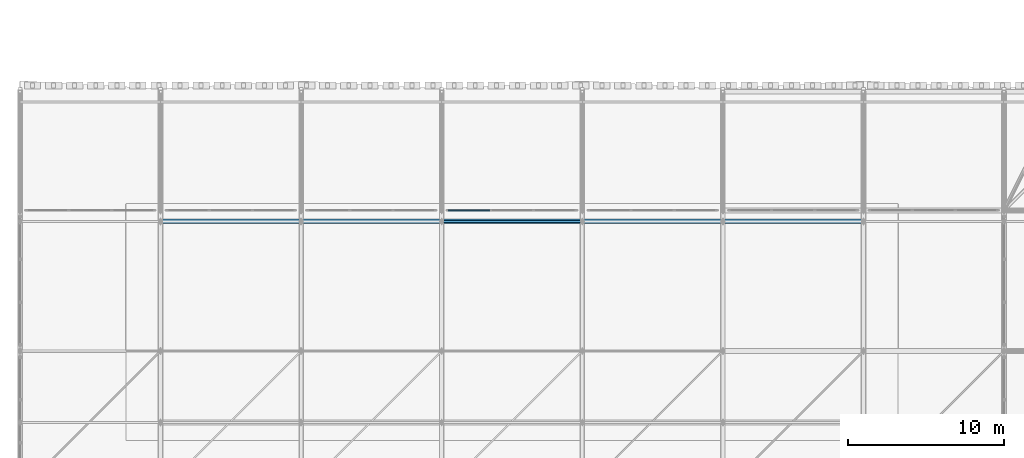
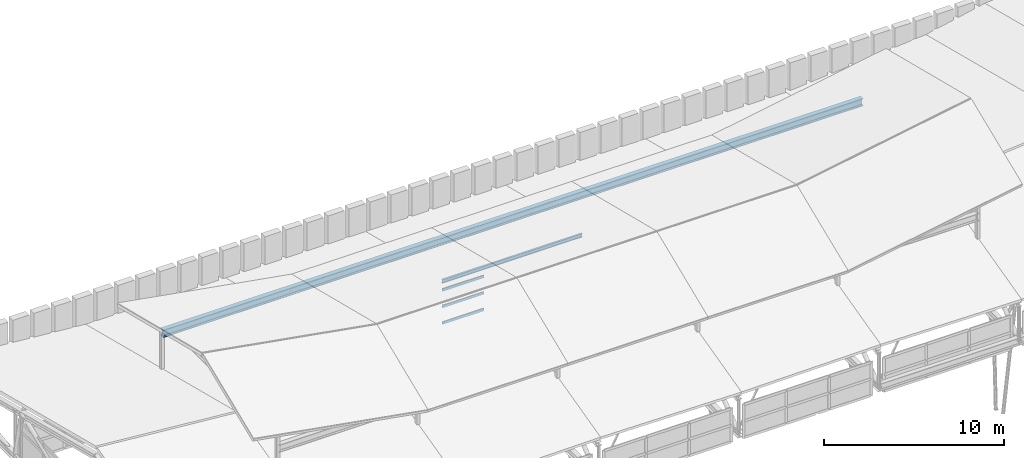
# One storey, part 10 of 42: 4 members, 1 beam, 1 element without a shape of its own.
"""IFC4 building model written with IfcOpenShell, lengths in metres."""

from ifc_helpers import new_model, si_unit, direction, frame, origin, origin_2d, place, context, subcontext, project, spatial, rectangle, i_section, extrude, material, material_profile, profile_set, type_object, element, aggregate, save


model = new_model("IFC4")

# Units and contexts
model_context = context("Model", 3, precision=1e-05, world=origin(), true_north=direction((0.0, 1.0)))
body_context = subcontext(model_context, "Body", "Model", "MODEL_VIEW")
ifc_project = project(units=[si_unit("LENGTHUNIT", "METRE"), si_unit("AREAUNIT", "SQUARE_METRE"), si_unit("VOLUMEUNIT", "CUBIC_METRE"), si_unit("PLANEANGLEUNIT", "RADIAN"), si_unit("MASSUNIT", "GRAM", prefix="KILO")], contexts=[model_context])

# Site, building, storey
site_placement = place(None, origin())
site = spatial("IfcSite", under=ifc_project, at=site_placement, CompositionType="ELEMENT")
building_placement = place(site_placement, origin())
building = spatial("IfcBuilding", under=site, at=building_placement, Name="Bozkorgan Art Gallery", CompositionType="ELEMENT")
storey_placement = place(building_placement, frame((0.0, 0.0, 28.800048828125)))
storey = spatial("IfcBuildingStorey", under=building, at=storey_placement, Name="RF", CompositionType="ELEMENT", Elevation=28.800048828125)

# Beam
ifc_material_1 = material(Name="Steel S355J2", Category="steel")
ifc_material_profile_1 = material_profile(ifc_material_1, i_section(OverallWidth=0.300048828125, OverallDepth=0.5, WebThickness=0.014404296875, FlangeThickness=0.028076171875, FilletRadius=0.027099609375, at=origin_2d()), Name="HEB 500")
ifc_profile_set_1 = profile_set([ifc_material_profile_1], Name="Steel S355J2")
beam_type = type_object("IfcBeamType", Name="BEAM-TO-52", PredefinedType="BEAM", material=ifc_profile_set_1)
beam_placement = place(storey_placement, frame((11.0, 19.300048828125, 5.925048828125), z_axis=(1.0, 0.0, 0.0), x_axis=(0.0, 1.0, 0.0)))
element("IfcBeam", 1, at=beam_placement, inside=storey, type_object=beam_type, Name="V1 stacked roof longitudinal tie 2", PredefinedType="BEAM", context=body_context, shape_type="SweptSolid", body=[
    extrude(i_section(OverallWidth=0.300048828125, OverallDepth=0.5, WebThickness=0.014404296875, FlangeThickness=0.028076171875, FilletRadius=0.027099609375, at=origin_2d()), origin(), (0.0, 0.0, 1.0), 45.0),
])

# Curtain wall, members
ifc_material_2 = material(Name="Anodised Bronze Aluminium", Category="aluminium")
curtain_wall_type = type_object("IfcCurtainWallType", Name="CW-CW-28", PredefinedType="NOTDEFINED", material=ifc_material_2)
curtain_wall_placement = place(storey_placement, origin())
curtain_wall = element("IfcCurtainWall", 2, at=curtain_wall_placement, inside=storey, type_object=curtain_wall_type, Name="RF unitised curtain wall CW-RF-V1-N-29", PredefinedType="NOTDEFINED")
ifc_material_profile_2 = material_profile(ifc_material_2, rectangle(XDim=0.074951171875, YDim=0.169921875, at=origin_2d()), Name="ALU TRANSOM 75x170")
ifc_profile_set_2 = profile_set([ifc_material_profile_2], Name="Anodised Bronze Aluminium")
member_type_1 = type_object("IfcMemberType", Name="CWT-02", PredefinedType="USERDEFINED", material=ifc_profile_set_2)
member_1_placement = place(storey_placement, frame((29.425048828125, 20.0, -0.28759765625), z_axis=(1.0, 0.0, 0.0), x_axis=(0.0, 1.0, 0.0)))
member_1 = element("IfcMember", 3, at=member_1_placement, type_object=member_type_1, Name="CW-28 transom 1.1", ObjectType="TRANSOM", PredefinedType="USERDEFINED", context=body_context, shape_type="SweptSolid", body=[
    extrude(rectangle(XDim=0.074951171875, YDim=0.169921875, at=origin_2d()), origin(), (0.0, 0.0, 1.0), 2.662353515625),
])
member_2_placement = place(storey_placement, frame((29.425048828125, 20.0, 0.837890625), z_axis=(1.0, 0.0, 0.0), x_axis=(0.0, 1.0, 0.0)))
member_2 = element("IfcMember", 4, at=member_2_placement, type_object=member_type_1, Name="CW-28 transom 1.2", ObjectType="TRANSOM", PredefinedType="USERDEFINED", context=body_context, shape_type="SweptSolid", body=[
    extrude(rectangle(XDim=0.074951171875, YDim=0.169921875, at=origin_2d()), origin(), (0.0, 0.0, 1.0), 2.662353515625),
])
member_3_placement = place(storey_placement, frame((29.425048828125, 20.0, 1.96240234375), z_axis=(1.0, 0.0, 0.0), x_axis=(0.0, 1.0, 0.0)))
member_3 = element("IfcMember", 5, at=member_3_placement, type_object=member_type_1, Name="CW-28 transom 1.3", ObjectType="TRANSOM", PredefinedType="USERDEFINED", context=body_context, shape_type="SweptSolid", body=[
    extrude(rectangle(XDim=0.074951171875, YDim=0.169921875, at=origin_2d()), origin(), (0.0, 0.0, 1.0), 2.662353515625),
])
aggregate(curtain_wall, [member_1, member_2, member_3])

# Member
ifc_material_profile_3 = material_profile(ifc_material_1, i_section(OverallWidth=0.1201171875, OverallDepth=0.239990234375, WebThickness=0.006103515625, FlangeThickness=0.009765625, FilletRadius=0.014892578125, at=origin_2d()), Name="IPE 240")
ifc_profile_set_3 = profile_set([ifc_material_profile_3], Name="Steel S355J2")
member_type_2 = type_object("IfcMemberType", Name="MEMBER-PR-34", PredefinedType="PURLIN", material=ifc_profile_set_3)
member_4_placement = place(storey_placement, frame((29.0, 19.300048828125, 3.1220703125), z_axis=(1.0, 0.0, 0.0), x_axis=(0.0, 1.0, 0.0)))
element("IfcMember", 6, at=member_4_placement, inside=storey, type_object=member_type_2, Name="ROOF-V1-MAIN roof purlin 4N", PredefinedType="PURLIN", context=body_context, shape_type="SweptSolid", body=[
    extrude(i_section(OverallWidth=0.1201171875, OverallDepth=0.239990234375, WebThickness=0.006103515625, FlangeThickness=0.009765625, FilletRadius=0.014892578125, at=origin_2d()), origin(), (0.0, 0.0, 1.0), 9.0),
])

save(model, "model.ifc")
